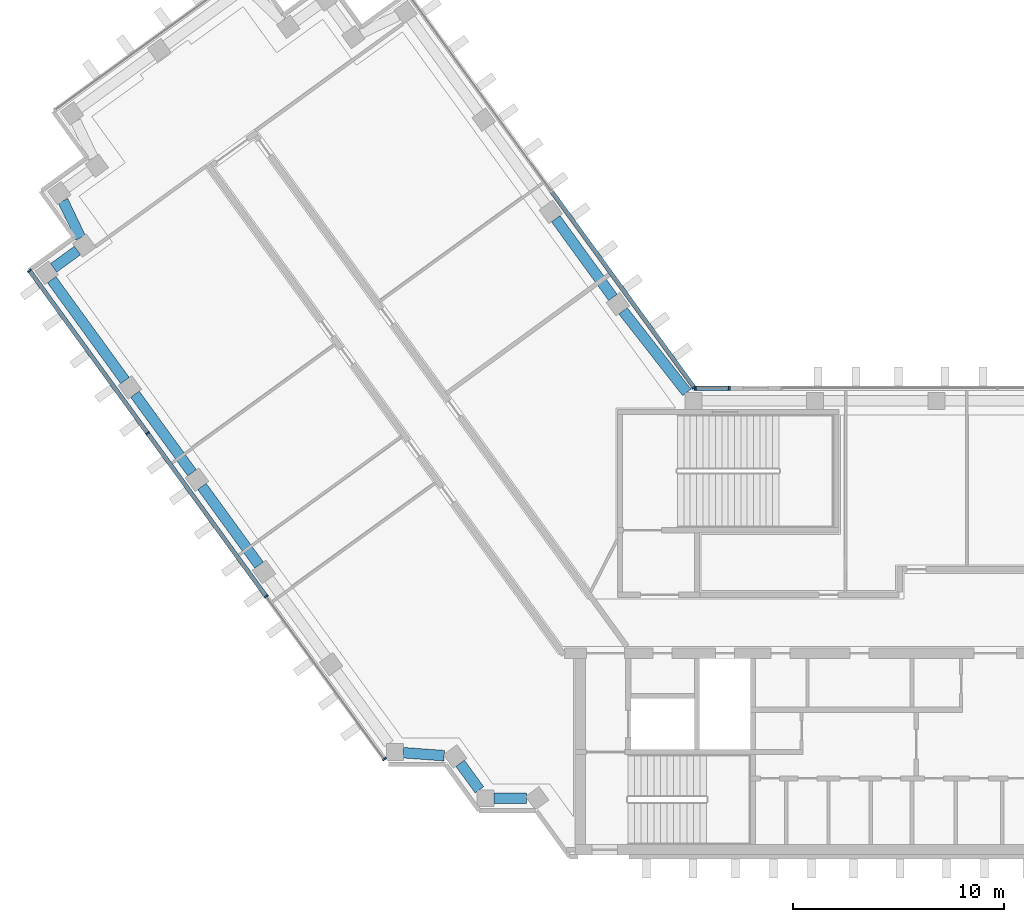
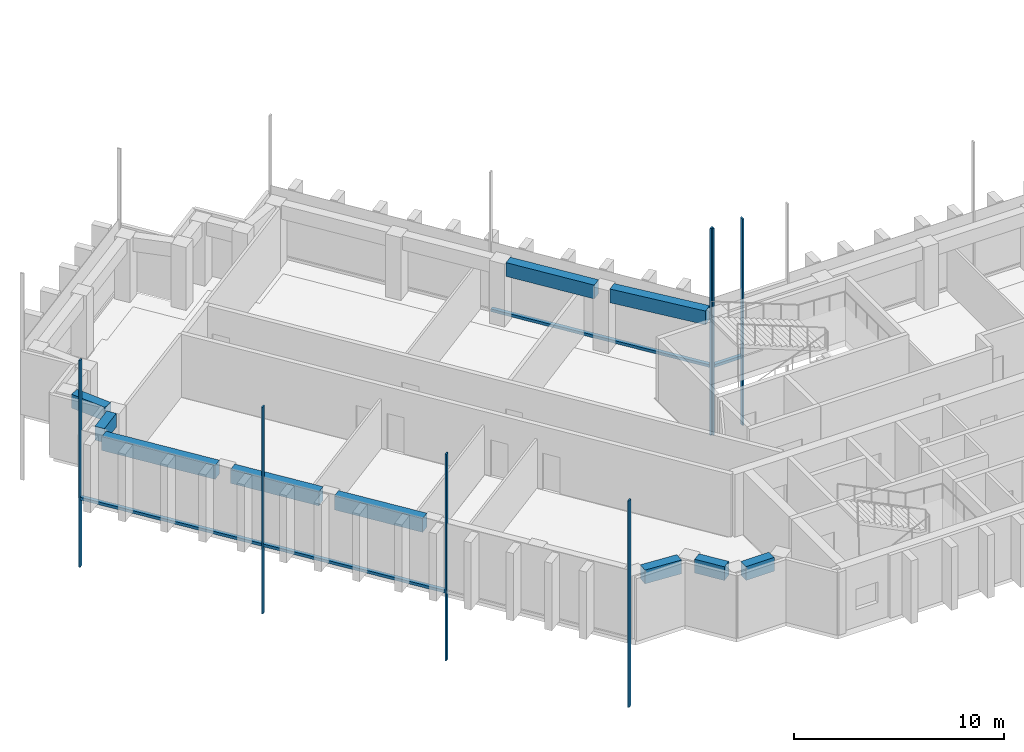
# One storey, part 2 of 14: 11 members, 10 beams, 3 elements without a shape of their own.
"""IFC4 building model written with IfcOpenShell, lengths in metres."""

from ifc_helpers import new_model, si_unit, direction, frame, origin, origin_2d, place, context, subcontext, project, spatial, rectangle, extrude, material, material_profile, profile_set, type_object, element, aggregate, save


model = new_model("IFC4")

# Units and contexts
model_context = context("Model", 3, precision=1e-05, world=origin(), true_north=direction((0.0, 1.0)))
body_context = subcontext(model_context, "Body", "Model", "MODEL_VIEW")
ifc_project = project(units=[si_unit("LENGTHUNIT", "METRE"), si_unit("AREAUNIT", "SQUARE_METRE"), si_unit("VOLUMEUNIT", "CUBIC_METRE"), si_unit("PLANEANGLEUNIT", "RADIAN"), si_unit("MASSUNIT", "GRAM", prefix="KILO")], contexts=[model_context])

# Site, building, storey
site_placement = place(None, origin())
site = spatial("IfcSite", under=ifc_project, at=site_placement, CompositionType="ELEMENT")
building_placement = place(site_placement, origin())
building = spatial("IfcBuilding", under=site, at=building_placement, Name="Quipu Civic Tower", CompositionType="ELEMENT")
storey_placement = place(building_placement, frame((0.0, 0.0, 198.0)))
storey = spatial("IfcBuildingStorey", under=building, at=storey_placement, Name="L46", CompositionType="ELEMENT", Elevation=198.0)

# Curtain wall, members
ifc_material_1 = material(Name="Insulated glass unit", Category="glass")
curtain_wall_type = type_object("IfcCurtainWallType", Name="Office curtain wall CW1", PredefinedType="NOTDEFINED", material=ifc_material_1)
curtain_wall_1_placement = place(storey_placement, origin())
curtain_wall_1 = element("IfcCurtainWall", 1, at=curtain_wall_1_placement, inside=storey, type_object=curtain_wall_type, Name="Office curtain wall CW1 L45 run 16", PredefinedType="NOTDEFINED")
ifc_material_2 = material(Name="Anodised aluminium", Category="aluminium")
ifc_material_profile_1 = material_profile(ifc_material_2, rectangle(XDim=0.199951171875, YDim=0.080078125, at=origin_2d()), Name="RECT 200x80")
ifc_profile_set_1 = profile_set([ifc_material_profile_1], Name="Anodised aluminium")
member_type_1 = type_object("IfcMemberType", Name="Mullion CW1", PredefinedType="MULLION", material=ifc_profile_set_1)
member_1_placement = place(storey_placement, frame((-12.695068359375, 11.10009765625, -3.919921875), z_axis=(0.0, 0.0, 1.0), x_axis=(0.0, -1.0, 0.0)))
member_1 = element("IfcMember", 2, at=member_1_placement, type_object=member_type_1, Name="CW1 mullion 1", PredefinedType="MULLION", context=body_context, shape_type="SweptSolid", body=[
    extrude(rectangle(XDim=0.199951171875, YDim=0.080078125, at=origin_2d()), origin(), (0.0, 0.0, 1.0), 12.0),
])
member_2_placement = place(storey_placement, frame((-14.30419921875, 11.10009765625, -3.919921875), z_axis=(0.0, 0.0, 1.0), x_axis=(0.0, -1.0, 0.0)))
member_2 = element("IfcMember", 3, at=member_2_placement, type_object=member_type_1, Name="CW1 mullion 2", PredefinedType="MULLION", context=body_context, shape_type="SweptSolid", body=[
    extrude(rectangle(XDim=0.199951171875, YDim=0.080078125, at=origin_2d()), origin(), (0.0, 0.0, 1.0), 12.0),
])

# Curtain wall, member
curtain_wall_2_placement = place(storey_placement, origin())
curtain_wall_2 = element("IfcCurtainWall", 4, at=curtain_wall_2_placement, inside=storey, type_object=curtain_wall_type, Name="Office curtain wall CW1 L45 run 17", PredefinedType="NOTDEFINED")
member_3_placement = place(storey_placement, frame((-14.36767578125, 11.13232421875, -3.919921875), z_axis=(0.0, 0.0, 1.0), x_axis=(-0.809014469803, -0.587788727052, 0.0)))
member_3 = element("IfcMember", 5, at=member_3_placement, type_object=member_type_1, Name="CW1 mullion 1", PredefinedType="MULLION", context=body_context, shape_type="SweptSolid", body=[
    extrude(rectangle(XDim=0.199951171875, YDim=0.080078125, at=origin_2d()), origin(), (0.0, 0.0, 1.0), 12.0),
])

# Curtain wall, members
curtain_wall_3_placement = place(storey_placement, origin())
curtain_wall_3 = element("IfcCurtainWall", 6, at=curtain_wall_3_placement, inside=storey, type_object=curtain_wall_type, Name="Office curtain wall CW1 L45 run 27", PredefinedType="NOTDEFINED")
member_4_placement = place(storey_placement, frame((-45.825927734375, 16.661865234375, -3.919921875), z_axis=(0.0, 0.0, 1.0), x_axis=(0.80901667469, 0.5877856923, 0.0)))
member_4 = element("IfcMember", 7, at=member_4_placement, type_object=member_type_1, Name="CW1 mullion 1", PredefinedType="MULLION", context=body_context, shape_type="SweptSolid", body=[
    extrude(rectangle(XDim=0.199951171875, YDim=0.080078125, at=origin_2d()), origin(), (0.0, 0.0, 1.0), 12.0),
])
member_5_placement = place(storey_placement, frame((-40.23486328125, 8.966552734375, -3.919921875), z_axis=(0.0, 0.0, 1.0), x_axis=(0.80901667469, 0.5877856923, 0.0)))
member_5 = element("IfcMember", 8, at=member_5_placement, type_object=member_type_1, Name="CW1 mullion 2", PredefinedType="MULLION", context=body_context, shape_type="SweptSolid", body=[
    extrude(rectangle(XDim=0.199951171875, YDim=0.080078125, at=origin_2d()), origin(), (0.0, 0.0, 1.0), 12.0),
])
member_6_placement = place(storey_placement, frame((-34.620361328125, 1.23876953125, -3.919921875), z_axis=(0.0, 0.0, 1.0), x_axis=(0.80901667469, 0.5877856923, 0.0)))
member_6 = element("IfcMember", 9, at=member_6_placement, type_object=member_type_1, Name="CW1 mullion 3", PredefinedType="MULLION", context=body_context, shape_type="SweptSolid", body=[
    extrude(rectangle(XDim=0.199951171875, YDim=0.080078125, at=origin_2d()), origin(), (0.0, 0.0, 1.0), 12.0),
])
member_7_placement = place(storey_placement, frame((-29.029296875, -6.45654296875, -3.919921875), z_axis=(0.0, 0.0, 1.0), x_axis=(0.80901667469, 0.5877856923, 0.0)))
member_7 = element("IfcMember", 10, at=member_7_placement, type_object=member_type_1, Name="CW1 mullion 4", PredefinedType="MULLION", context=body_context, shape_type="SweptSolid", body=[
    extrude(rectangle(XDim=0.199951171875, YDim=0.080078125, at=origin_2d()), origin(), (0.0, 0.0, 1.0), 12.0),
])

# Beams
ifc_material_3 = material(Name="Concrete C50/60", Category="concrete")
ifc_material_profile_2 = material_profile(ifc_material_3, rectangle(XDim=0.5, YDim=0.800048828125, at=origin_2d()), Name="RC500x800")
ifc_profile_set_2 = profile_set([ifc_material_profile_2], Name="Concrete C50/60")
beam_type = type_object("IfcBeamType", Name="Spandrel beam RC 500x800 C50/60", PredefinedType="SPANDREL", material=ifc_profile_set_2)
beam_1_placement = place(storey_placement, frame((-18.208740234375, 15.398681640625, 3.25), z_axis=(-0.58776136044, 0.809034352283, 0.0), x_axis=(-0.809034352283, -0.58776136044, 0.0)))
element("IfcBeam", 11, at=beam_1_placement, inside=storey, type_object=beam_type, Name="Spandrel beam L46 W-IN-01 to W-IN-02", PredefinedType="SPANDREL", context=body_context, shape_type="SweptSolid", body=[
    extrude(rectangle(XDim=0.5, YDim=0.800048828125, at=origin_2d()), origin(), (0.0, 0.0, 1.0), 4.599853515625),
])
beam_2_placement = place(storey_placement, frame((-44.23974609375, 19.9677734375, 3.25), z_axis=(0.430785642718, -0.902454281406, 0.0), x_axis=(0.902454281406, 0.430785642718, 0.0)))
element("IfcBeam", 12, at=beam_2_placement, inside=storey, type_object=beam_type, Name="Spandrel beam L46 T-Wo.2-W34 to T-Wo.3-W34", PredefinedType="SPANDREL", context=body_context, shape_type="SweptSolid", body=[
    extrude(rectangle(XDim=0.5, YDim=0.800048828125, at=origin_2d()), origin(), (0.0, 0.0, 1.0), 1.934814453125),
])
beam_3_placement = place(storey_placement, frame((-43.554443359375, 17.619140625, 3.25), z_axis=(-0.808600329101, -0.588358315805, 0.0), x_axis=(0.588358315805, -0.808600329101, 0.0)))
element("IfcBeam", 13, at=beam_3_placement, inside=storey, type_object=beam_type, Name="Spandrel beam L46 T-Wo.3-W34 to T-Wo.4-W34", PredefinedType="SPANDREL", context=body_context, shape_type="SweptSolid", body=[
    extrude(rectangle(XDim=0.5, YDim=0.800048828125, at=origin_2d()), origin(), (0.0, 0.0, 1.0), 1.400146484375),
])
beam_4_placement = place(storey_placement, frame((-44.77490234375, 16.236328125, 3.25), z_axis=(0.58780026889, -0.809006083965, 0.0), x_axis=(0.809006083965, 0.58780026889, 0.0)))
element("IfcBeam", 14, at=beam_4_placement, inside=storey, type_object=beam_type, Name="Spandrel beam L46 T-Wo.4-W34 to W-OUT-04", PredefinedType="SPANDREL", context=body_context, shape_type="SweptSolid", body=[
    extrude(rectangle(XDim=0.5, YDim=0.800048828125, at=origin_2d()), origin(), (0.0, 0.0, 1.0), 5.902587890625),
])
beam_5_placement = place(storey_placement, frame((-40.835205078125, 10.81396484375, 3.25), z_axis=(0.587770861189, -0.809027449928, 0.0), x_axis=(0.809027449928, 0.587770861189, 0.0)))
element("IfcBeam", 15, at=beam_5_placement, inside=storey, type_object=beam_type, Name="Spandrel beam L46 W-OUT-04 to W-OUT-03", PredefinedType="SPANDREL", context=body_context, shape_type="SweptSolid", body=[
    extrude(rectangle(XDim=0.5, YDim=0.800048828125, at=origin_2d()), origin(), (0.0, 0.0, 1.0), 4.60009765625),
])
beam_6_placement = place(storey_placement, frame((-37.6611328125, 6.445068359375, 3.25), z_axis=(0.58776136044, -0.809034352283, 0.0), x_axis=(0.809034352283, 0.58776136044, 0.0)))
element("IfcBeam", 16, at=beam_6_placement, inside=storey, type_object=beam_type, Name="Spandrel beam L46 W-OUT-03 to W-OUT-02", PredefinedType="SPANDREL", context=body_context, shape_type="SweptSolid", body=[
    extrude(rectangle(XDim=0.5, YDim=0.800048828125, at=origin_2d()), origin(), (0.0, 0.0, 1.0), 4.599853515625),
])
beam_7_placement = place(storey_placement, frame((-28.125, -6.158935546875, 3.25), z_axis=(0.997370796499, -0.072467194581, 0.0), x_axis=(0.072467194581, 0.997370796499, 0.0)))
element("IfcBeam", 17, at=beam_7_placement, inside=storey, type_object=beam_type, Name="Spandrel beam L46 J-Wo.0 to J-Wo.1", PredefinedType="SPANDREL", context=body_context, shape_type="SweptSolid", body=[
    extrude(rectangle(XDim=0.5, YDim=0.800048828125, at=origin_2d()), origin(), (0.0, 0.0, 1.0), 1.933837890625),
])
beam_8_placement = place(storey_placement, frame((-25.43896484375, -6.660400390625, 3.25), z_axis=(0.588330737135, -0.808620395329, 0.0), x_axis=(0.808620395329, 0.588330737135, 0.0)))
element("IfcBeam", 18, at=beam_8_placement, inside=storey, type_object=beam_type, Name="Spandrel beam L46 J-Wo.1 to J-Wo.2", PredefinedType="SPANDREL", context=body_context, shape_type="SweptSolid", body=[
    extrude(rectangle(XDim=0.5, YDim=0.800048828125, at=origin_2d()), origin(), (0.0, 0.0, 1.0), 1.551513671875),
])
beam_9_placement = place(storey_placement, frame((-23.8349609375, -8.31494140625, 3.25), z_axis=(1.0, 0.0, 0.0), x_axis=(0.0, 1.0, 0.0)))
element("IfcBeam", 19, at=beam_9_placement, inside=storey, type_object=beam_type, Name="Spandrel beam L46 J-Wo.2 to J-Wo.3", PredefinedType="SPANDREL", context=body_context, shape_type="SweptSolid", body=[
    extrude(rectangle(XDim=0.5, YDim=0.800048828125, at=origin_2d()), origin(), (0.0, 0.0, 1.0), 1.548828125),
])
beam_10_placement = place(storey_placement, frame((-14.7080078125, 10.89990234375, 3.25), z_axis=(-0.616090612932, 0.787675286306, 0.0), x_axis=(-0.787675286306, -0.616090612932, 0.0)))
element("IfcBeam", 20, at=beam_10_placement, inside=storey, type_object=beam_type, Name="Spandrel beam L46 J-Wi.0 to W-IN-01", PredefinedType="SPANDREL", context=body_context, shape_type="SweptSolid", body=[
    extrude(rectangle(XDim=0.5, YDim=0.800048828125, at=origin_2d()), origin(), (0.0, 0.0, 1.0), 4.900390625),
])

# Member
ifc_material_4 = material(Name="Anodised aluminium", Category="aluminium")
ifc_material_profile_3 = material_profile(ifc_material_4, rectangle(XDim=0.199951171875, YDim=0.159912109375, at=origin_2d()), Name="RECT 200x160")
ifc_profile_set_3 = profile_set([ifc_material_profile_3], Name="Anodised aluminium")
member_type_2 = type_object("IfcMemberType", Name="Transom CW1", PredefinedType="USERDEFINED", material=ifc_profile_set_3)
member_8_placement = place(storey_placement, frame((-12.735107421875, 11.10009765625, 0.080078125), z_axis=(-1.0, 0.0, 0.0), x_axis=(0.0, -1.0, 0.0)))
member_8 = element("IfcMember", 21, at=member_8_placement, type_object=member_type_2, Name="CW1 transom 1.2", ObjectType="TRANSOM", PredefinedType="USERDEFINED", context=body_context, shape_type="SweptSolid", body=[
    extrude(rectangle(XDim=0.199951171875, YDim=0.159912109375, at=origin_2d()), origin(), (0.0, 0.0, 1.0), 1.529052734375),
])

aggregate(curtain_wall_1, [member_1, member_2, member_8])

member_9_placement = place(storey_placement, frame((-14.39111328125, 11.164794921875, 0.080078125), z_axis=(-0.587799878401, 0.809006367683, 0.0), x_axis=(-0.809006367683, -0.587799878401, 0.0)))
member_9 = element("IfcMember", 22, at=member_9_placement, type_object=member_type_2, Name="CW1 transom 1.2", ObjectType="TRANSOM", PredefinedType="USERDEFINED", context=body_context, shape_type="SweptSolid", body=[
    extrude(rectangle(XDim=0.199951171875, YDim=0.159912109375, at=origin_2d()), origin(), (0.0, 0.0, 1.0), 11.402099609375),
])

aggregate(curtain_wall_2, [member_3, member_9])

member_10_placement = place(storey_placement, frame((-45.802490234375, 16.629638671875, 0.080078125), z_axis=(0.587783783239, -0.809018061703, 0.0), x_axis=(0.809018061703, 0.587783783239, 0.0)))
member_10 = element("IfcMember", 23, at=member_10_placement, type_object=member_type_2, Name="CW1 transom 1.2", ObjectType="TRANSOM", PredefinedType="USERDEFINED", context=body_context, shape_type="SweptSolid", body=[
    extrude(rectangle(XDim=0.199951171875, YDim=0.159912109375, at=origin_2d()), origin(), (0.0, 0.0, 1.0), 9.431884765625),
])

member_11_placement = place(storey_placement, frame((-40.21142578125, 8.934326171875, 0.080078125), z_axis=(0.587773158676, -0.809025780763, 0.0), x_axis=(0.809025780763, 0.587773158676, 0.0)))
member_11 = element("IfcMember", 24, at=member_11_placement, type_object=member_type_2, Name="CW1 transom 2.2", ObjectType="TRANSOM", PredefinedType="USERDEFINED", context=body_context, shape_type="SweptSolid", body=[
    extrude(rectangle(XDim=0.199951171875, YDim=0.159912109375, at=origin_2d()), origin(), (0.0, 0.0, 1.0), 9.471923828125),
])

aggregate(curtain_wall_3, [member_4, member_5, member_6, member_7, member_10, member_11])

save(model, "model.ifc")
